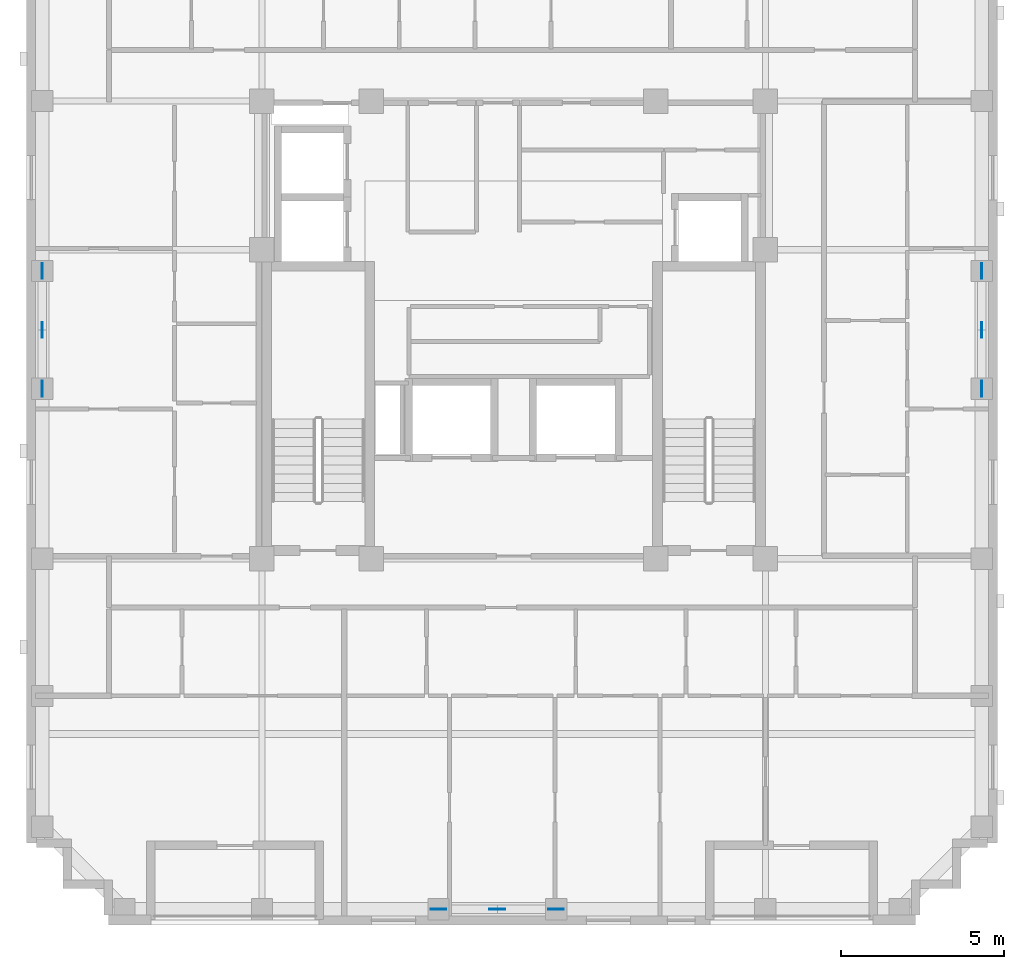
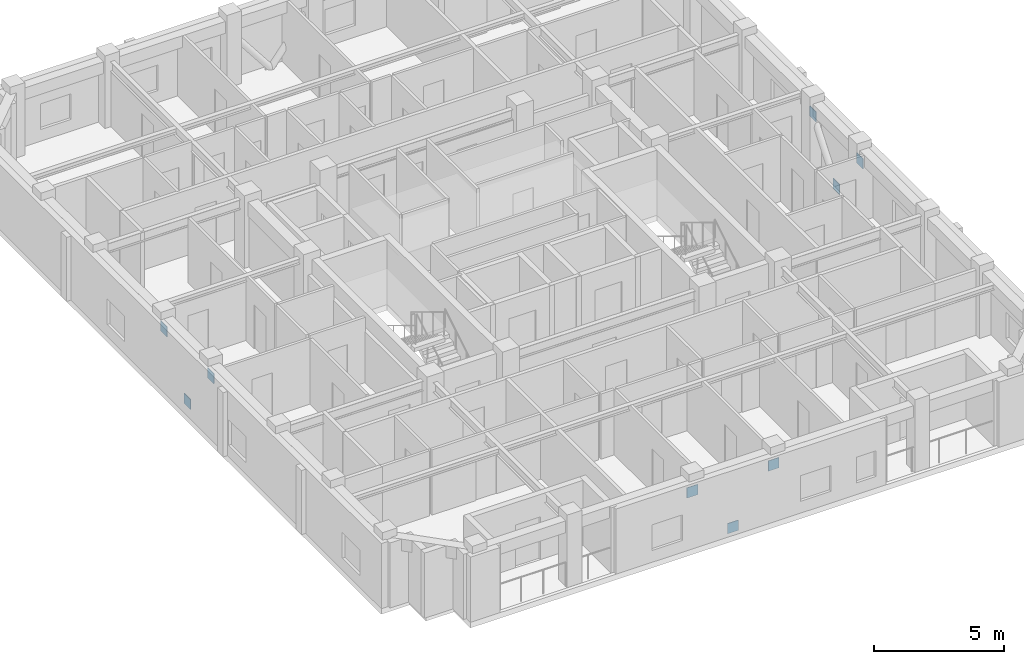
# One storey, part 8 of 11: 9 discrete accessories.
"""IFC4 building model written with IfcOpenShell, lengths in metres."""

from ifc_helpers import new_model, si_unit, derived_unit, direction, frame, origin, origin_2d, place, context, subcontext, project, spatial, rectangle, extrude, material, layer, layer_set, type_object, element, save


model = new_model("IFC4")

# Units and contexts
model_context = context("Model", 3, precision=1e-05, world=origin(), true_north=direction((0.0, 1.0)))
body_context = subcontext(model_context, "Body", "Model", "MODEL_VIEW")
ifc_project = project(units=[si_unit("LENGTHUNIT", "METRE"), si_unit("AREAUNIT", "SQUARE_METRE"), si_unit("VOLUMEUNIT", "CUBIC_METRE"), si_unit("PLANEANGLEUNIT", "RADIAN"), si_unit("MASSUNIT", "GRAM", prefix="KILO"), derived_unit("THERMALTRANSMITTANCEUNIT", [(si_unit("MASSUNIT", "GRAM", prefix="KILO"), 1), (si_unit("TIMEUNIT", "SECOND"), -3), (si_unit("THERMODYNAMICTEMPERATUREUNIT", "KELVIN"), -1)])], contexts=[model_context])

# Site, building, storey
site_placement = place(None, origin())
site = spatial("IfcSite", under=ifc_project, at=site_placement, CompositionType="ELEMENT")
building_placement = place(site_placement, origin())
building = spatial("IfcBuilding", under=site, at=building_placement, Name="Korrvale Station Residences", CompositionType="ELEMENT")
storey_placement = place(building_placement, frame((0.0, 0.0, 258.10009765625)))
storey = spatial("IfcBuildingStorey", under=building, at=storey_placement, Name="L75", CompositionType="ELEMENT", Elevation=258.10009765625)

# Discrete accessories
ifc_material = material(Name="Steel S355", Category="steel")
ifc_layer = layer(ifc_material, 0.02490234375, Name="Steel S355")
ifc_layer_set = layer_set([ifc_layer], Name="Steel S355")
discrete_accessory_type = type_object("IfcDiscreteAccessoryType", Name="ACC-GUSSET-25", PredefinedType="BRACKET", material=ifc_layer_set)
for number, where, z_axis, x_axis, name in (
    (1, (25.0, 4.280029296875, -0.219970703125), (0.0, 0.0, 1.0), (1.0, 0.0, 0.0), "L75 S Brace End Gusset Connection M"),
    (2, (23.199951171875, 4.280029296875, 2.079833984375), (0.0, 0.0, 1.0), (1.0, 0.0, 0.0), "L75 S Brace End Gusset Connection A"),
    (3, (26.800048828125, 4.280029296875, 2.079833984375), (0.0, 0.0, 1.0), (1.0, 0.0, 0.0), "L75 S Brace End Gusset Connection B"),
    (4, (11.080078125, 22.0, -0.219970703125), (0.0, 0.0, 1.0), (0.0, 1.0, 0.0), "L75 W Brace End Gusset Connection M"),
    (5, (11.080078125, 20.199951171875, 2.079833984375), (0.0, 0.0, 1.0), (0.0, 1.0, 0.0), "L75 W Brace End Gusset Connection A"),
    (6, (11.080078125, 23.800048828125, 2.079833984375), (0.0, 0.0, 1.0), (0.0, 1.0, 0.0), "L75 W Brace End Gusset Connection B"),
    (7, (39.820068359375, 22.0, -0.219970703125), (0.0, 0.0, 1.0), (0.0, 1.0, 0.0), "L75 E Brace End Gusset Connection M"),
    (8, (39.820068359375, 20.199951171875, 2.079833984375), (0.0, 0.0, 1.0), (0.0, 1.0, 0.0), "L75 E Brace End Gusset Connection A"),
    (9, (39.820068359375, 23.800048828125, 2.079833984375), (0.0, 0.0, 1.0), (0.0, 1.0, 0.0), "L75 E Brace End Gusset Connection B"),
):
    element("IfcDiscreteAccessory", number, at=place(storey_placement, frame(where, z_axis=z_axis, x_axis=x_axis)), inside=storey, type_object=discrete_accessory_type, Name=name, PredefinedType="BRACKET", context=body_context, shape_type="SweptSolid", body=[
        extrude(rectangle(XDim=0.47998046875, YDim=0.02490234375, at=origin_2d()), origin(), (0.0, 0.0, 1.0), 0.47998046875),
    ])

save(model, "model.ifc")
